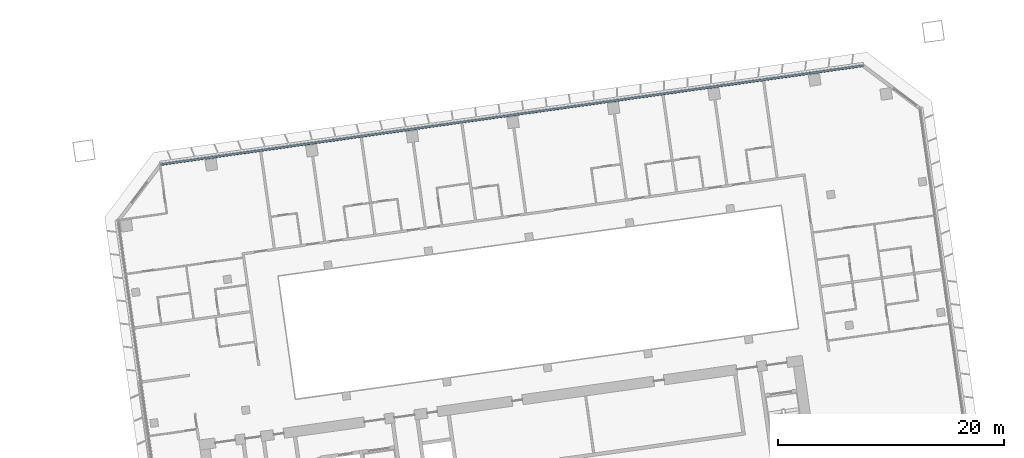
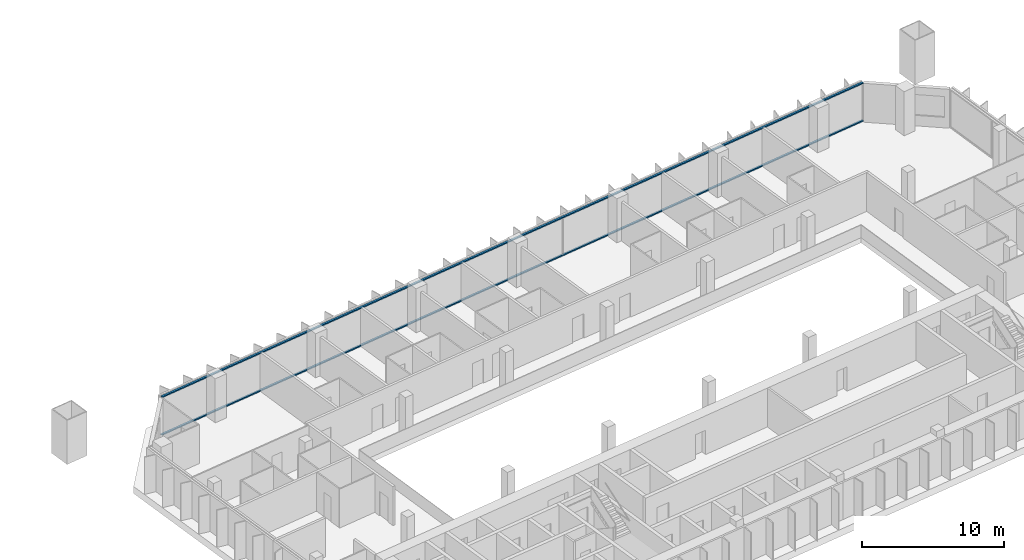
# One storey, part 9 of 24: 2 members, 1 element without a shape of its own.
"""IFC4 building model written with IfcOpenShell, lengths in metres."""

import ifcopenshell
import ifcopenshell.guid

model = None  # the IFC model being written
_history = None  # IfcOwnerHistory: only IFC2X3 demands one
_inside = {}  # id of a spatial element -> (the spatial element, [elements in it])
_under = {}  # id of a project, library or spatial element -> (it, [spatial elements below it])
_declared = {}  # id of a project -> (the project, [libraries it declares])
_typed = {}  # id of a type object -> (the type object, [elements of that type])
_made_of = {}  # id of a material, layer set ... -> (it, [elements and type objects made of it])


def new_model(schema):
    """Start an empty IFC model of exactly this schema.

    Asked for "IFC4X3", IfcOpenShell would pick the latest addendum, in which some entities
    have other attributes; the version numbers below select the first issue.
    IFC2X3 requires an IfcOwnerHistory on every rooted entity: one is made here for all.
    """
    global model, _history
    if schema == "IFC4X3":
        model = ifcopenshell.file(schema_version=(4, 3, 0, 0))
    else:
        model = ifcopenshell.file(schema=schema)
    _inside.clear()
    _under.clear()
    _declared.clear()
    _typed.clear()
    _made_of.clear()
    _history = None
    if model.schema == "IFC2X3":
        org = make("IfcOrganization", Name="unknown")
        user = make(
            "IfcPersonAndOrganization",
            ThePerson=make("IfcPerson", FamilyName="unknown"),
            TheOrganization=org,
        )
        app = make(
            "IfcApplication",
            ApplicationDeveloper=org,
            Version="unknown",
            ApplicationFullName="unknown",
            ApplicationIdentifier="unknown",
        )
        _history = make(
            "IfcOwnerHistory",
            OwningUser=user,
            OwningApplication=app,
            ChangeAction="ADDED",
            CreationDate=0,
        )
    return model


def make(cls, **values):
    """One entity of the class cls with the attributes given. An attribute that is None is left unset."""
    return model.create_entity(
        cls, **{name: value for name, value in values.items() if value is not None}
    )


def rooted(cls, **values):
    """An entity with a GlobalId (a new one), such as an element, a storey or a relation."""
    return make(cls, GlobalId=ifcopenshell.guid.new(), OwnerHistory=_history, **values)


def si_unit(unit_type, name, prefix=None):
    """IfcSIUnit, for example si_unit("LENGTHUNIT", "METRE", prefix="MILLI")."""
    return make("IfcSIUnit", UnitType=unit_type, Prefix=prefix, Name=name)


def assignment(units):
    """IfcUnitAssignment: the units of a project."""
    return None if units is None else make("IfcUnitAssignment", Units=units)


def point(xyz):
    """IfcCartesianPoint."""
    return None if xyz is None else make("IfcCartesianPoint", Coordinates=xyz)


def direction(xyz):
    """IfcDirection."""
    return None if xyz is None else make("IfcDirection", DirectionRatios=xyz)


def frame(location, z_axis=None, x_axis=None):
    """IfcAxis2Placement3D, a coordinate frame: its origin and axes. An axis left out is left unset."""
    return make(
        "IfcAxis2Placement3D",
        Location=point(location),
        Axis=direction(z_axis),
        RefDirection=direction(x_axis),
    )


def frame_2d(location, x_axis=None):
    """IfcAxis2Placement2D, a coordinate frame in the plane: its origin and x axis."""
    return make(
        "IfcAxis2Placement2D", Location=point(location), RefDirection=direction(x_axis)
    )


def origin():
    """The frame at (0, 0, 0) with its axes left unset."""
    return frame((0.0, 0.0, 0.0))


def origin_2d():
    """The frame at (0, 0) in the plane with its x axis left unset."""
    return frame_2d((0.0, 0.0))


def place(relative_to, where):
    """IfcLocalPlacement: puts the frame where relative to a parent placement (None: the world)."""
    return make(
        "IfcLocalPlacement", PlacementRelTo=relative_to, RelativePlacement=where
    )


def context(
    kind, dimensions, precision=None, world=None, true_north=None, identifier=None
):
    """IfcGeometricRepresentationContext, for example the 3D "Model" context."""
    return make(
        "IfcGeometricRepresentationContext",
        ContextIdentifier=identifier,
        ContextType=kind,
        CoordinateSpaceDimension=dimensions,
        Precision=precision,
        WorldCoordinateSystem=world,
        TrueNorth=true_north,
    )


def subcontext(parent, identifier, kind, view, scale=None):
    """IfcGeometricRepresentationSubContext, for example "Body" below "Model"."""
    return make(
        "IfcGeometricRepresentationSubContext",
        ContextIdentifier=identifier,
        ContextType=kind,
        ParentContext=parent,
        TargetScale=scale,
        TargetView=view,
    )


def project(units=None, contexts=None):
    """IfcProject with its units and contexts."""
    return rooted(
        "IfcProject",
        Name="project",
        RepresentationContexts=contexts,
        UnitsInContext=assignment(units),
    )


def spatial(cls, under=None, at=None, **own):
    """A site, building, storey or space (cls), placed at a placement, below another one or the project."""
    s = rooted(cls, ObjectPlacement=at, **own)
    if under is not None:
        _under.setdefault(under.id(), (under, []))[1].append(s)
    return s


def profile(cls, at=None, kind="AREA", **sizes):
    """A parametric profile (cls). Its sizes go by their IFC names, for example OverallWidth=200.0."""
    return make(cls, ProfileType=kind, Position=at, **sizes)


def rectangle(**sizes):
    """IfcRectangleProfileDef."""
    return profile("IfcRectangleProfileDef", **sizes)


def extrude(swept, where, along, depth):
    """IfcExtrudedAreaSolid: the profile swept, set in the frame where, extruded along a direction by depth."""
    return make(
        "IfcExtrudedAreaSolid",
        SweptArea=swept,
        Position=where,
        ExtrudedDirection=direction(along),
        Depth=depth,
    )


def shape(context_of_items, identifier, shape_type, items):
    """IfcShapeRepresentation: the items that make up one representation, for example the "Body"."""
    return make(
        "IfcShapeRepresentation",
        ContextOfItems=context_of_items,
        RepresentationIdentifier=identifier,
        RepresentationType=shape_type,
        Items=items,
    )


def material(Name=None, Category=None):
    """IfcMaterial."""
    return make("IfcMaterial", Name=Name, Category=Category)


def material_profile(
    of_material, cross_section, Name=None, Category=None, Priority=None
):
    """IfcMaterialProfile: a cross section and its material."""
    return make(
        "IfcMaterialProfile",
        Name=Name,
        Material=of_material,
        Profile=cross_section,
        Priority=Priority,
        Category=Category,
    )


def profile_set(profiles, Name=None, composite=None):
    """IfcMaterialProfileSet."""
    return make(
        "IfcMaterialProfileSet",
        Name=Name,
        MaterialProfiles=profiles,
        CompositeProfile=composite,
    )


def made_of(thing, what):
    """Note that an element or type object is made of a material, layer set ...; save() writes the relation."""
    if what is not None:
        _made_of.setdefault(what.id(), (what, []))[1].append(thing)
    return thing


def type_object(cls, material=None, **own):
    """A type object (cls), such as IfcWallType, which elements share."""
    return made_of(rooted(cls, **own), material)


def element(
    cls,
    number,
    at=None,
    inside=None,
    cuts=None,
    type_object=None,
    material=None,
    context=None,
    identifier="Body",
    shape_type=None,
    held_by="IfcProductDefinitionShape",
    body=None,
    shapes=None,
    **own,
):
    """One element of the class cls, such as IfcWall. Its Tag is "e" and its number.

    at: its placement. inside: the storey or other place that contains it. cuts: it is an
    opening in that element (IfcRelVoidsElement). A single representation is given by context,
    identifier, shape_type and body (its items); several are given by shapes. held_by: the class
    of the entity that holds the representations. save() writes the other relations.
    """
    e = rooted(cls, Tag="e%d" % number, ObjectPlacement=at, **own)
    if body is not None:
        shapes = [shape(context, identifier, shape_type, body)]
    if shapes is not None:
        e.Representation = make(held_by, Representations=shapes)
    if inside is not None:
        _inside.setdefault(inside.id(), (inside, []))[1].append(e)
    if cuts is not None:
        rooted(
            "IfcRelVoidsElement", RelatingBuildingElement=cuts, RelatedOpeningElement=e
        )
    if type_object is not None:
        _typed.setdefault(type_object.id(), (type_object, []))[1].append(e)
    return made_of(e, material)


def aggregate(whole, parts):
    """IfcRelAggregates: a whole, such as a stair, and the parts it consists of."""
    return rooted("IfcRelAggregates", RelatingObject=whole, RelatedObjects=parts)


def save(model, path):
    """Write the relations noted so far, then the file.

    IfcRelAggregates (storeys below a building ...), IfcRelContainedInSpatialStructure (elements
    in a storey), IfcRelDefinesByType, IfcRelAssociatesMaterial and IfcRelDeclares: one each for
    every whole, place, type object, material and project.
    """
    for whole, parts in _under.values():
        aggregate(whole, parts)
    for where, things in _inside.values():
        rooted(
            "IfcRelContainedInSpatialStructure",
            RelatedElements=things,
            RelatingStructure=where,
        )
    for kind, things in _typed.values():
        rooted("IfcRelDefinesByType", RelatedObjects=things, RelatingType=kind)
    for what, things in _made_of.values():
        rooted("IfcRelAssociatesMaterial", RelatedObjects=things, RelatingMaterial=what)
    for by, libraries in _declared.values():
        rooted("IfcRelDeclares", RelatingContext=by, RelatedDefinitions=libraries)
    model.write(path)


model = new_model("IFC4")

# Units and contexts
model_context = context("Model", 3, precision=1e-05, world=origin(), true_north=direction((0.0, 1.0)))
body_context = subcontext(model_context, "Body", "Model", "MODEL_VIEW")
ifc_project = project(units=[si_unit("LENGTHUNIT", "METRE"), si_unit("AREAUNIT", "SQUARE_METRE"), si_unit("VOLUMEUNIT", "CUBIC_METRE"), si_unit("PLANEANGLEUNIT", "RADIAN"), si_unit("MASSUNIT", "GRAM", prefix="KILO")], contexts=[model_context])

# Site, building, storey
site_placement = place(None, origin())
site = spatial("IfcSite", under=ifc_project, at=site_placement, CompositionType="ELEMENT")
building_placement = place(site_placement, origin())
building = spatial("IfcBuilding", under=site, at=building_placement, Name="Mirante Cascada Hotel Towers", CompositionType="ELEMENT")
storey_placement = place(building_placement, frame((0.0, 0.0, 47.1)))
storey = spatial("IfcBuildingStorey", under=building, at=storey_placement, Name="L08", CompositionType="ELEMENT", Elevation=47.1)

# Curtain wall, members
ifc_material_1 = material(Name="Aluminium mullion and transom frame with clear laminated glass", Category="aluminium")
curtain_wall_type = type_object("IfcCurtainWallType", Name="Ribbon curtain wall ECW1", PredefinedType="NOTDEFINED", material=ifc_material_1)
curtain_wall_placement = place(storey_placement, origin())
curtain_wall = element("IfcCurtainWall", 1, at=curtain_wall_placement, inside=storey, type_object=curtain_wall_type, Name="Front ribbon wall T2 L08", PredefinedType="NOTDEFINED")
ifc_material_2 = material(Name="Anodised aluminium extrusion", Category="aluminium")
ifc_material_profile = material_profile(ifc_material_2, rectangle(XDim=0.16, YDim=0.1, at=origin_2d()), Name="ECW1 TRANSOM 100x160")
ifc_profile_set = profile_set([ifc_material_profile], Name="Anodised aluminium extrusion")
member_type = type_object("IfcMemberType", Name="ECW1 transom 100x160", PredefinedType="USERDEFINED", material=ifc_profile_set)
member_1_placement = place(storey_placement, frame((94.1582, 26.0521, 0.05), z_axis=(-0.9902681, -0.1391728, 0.0), x_axis=(0.1391728, -0.9902681, 0.0)))
member_1 = element("IfcMember", 2, at=member_1_placement, type_object=member_type, Name="ECW1 sill transom", ObjectType="TRANSOM", PredefinedType="USERDEFINED", context=body_context, shape_type="SweptSolid", body=[
    extrude(rectangle(XDim=0.16, YDim=0.1, at=origin_2d()), origin(), (0.0, 0.0, 1.0), 62.8758),
])
member_2_placement = place(storey_placement, frame((94.1582, 26.0521, 3.3), z_axis=(-0.9902681, -0.1391728, 0.0), x_axis=(0.1391728, -0.9902681, 0.0)))
member_2 = element("IfcMember", 3, at=member_2_placement, type_object=member_type, Name="ECW1 head transom", ObjectType="TRANSOM", PredefinedType="USERDEFINED", context=body_context, shape_type="SweptSolid", body=[
    extrude(rectangle(XDim=0.16, YDim=0.1, at=origin_2d()), origin(), (0.0, 0.0, 1.0), 62.8758),
])
aggregate(curtain_wall, [member_1, member_2])

save(model, "model.ifc")
